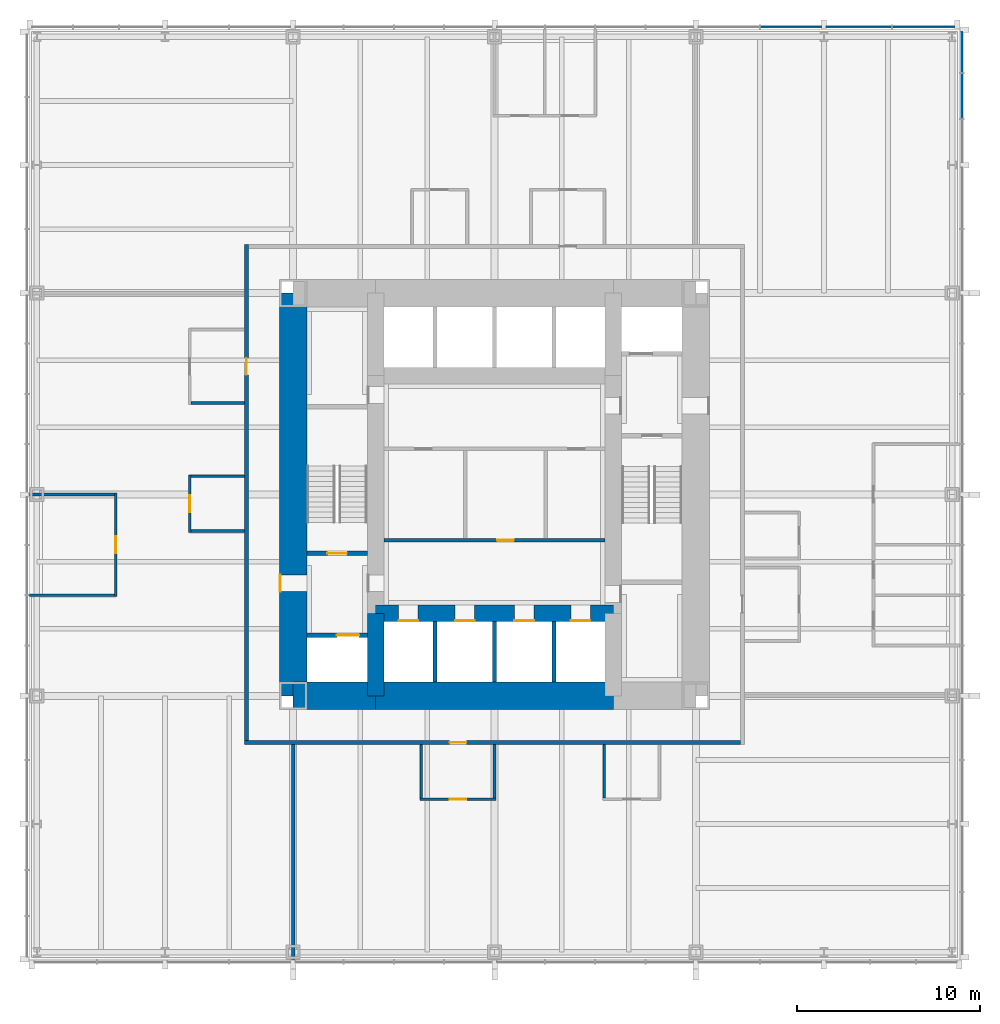
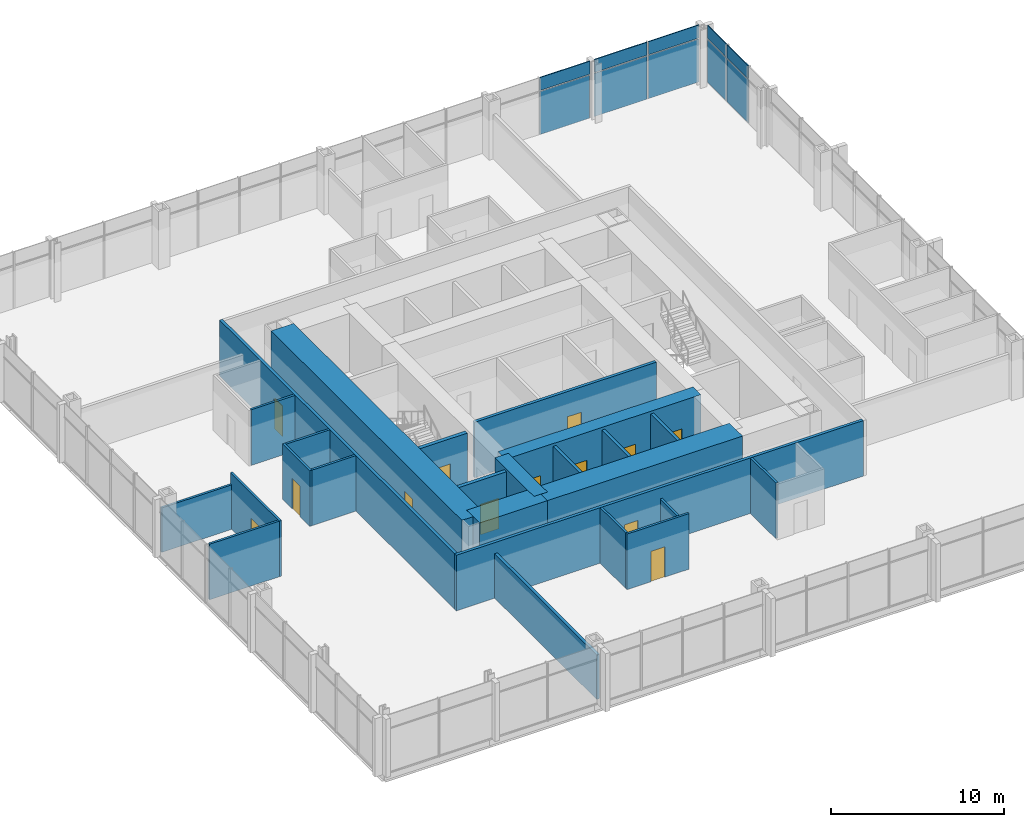
# One storey, part 9 of 12: 25 walls, 13 doors, 10 plates, 13 openings, 2 elements without a shape of their own.
"""IFC4 building model written with IfcOpenShell, lengths in metres."""

from ifc_helpers import new_model, si_unit, direction, frame, frame_2d, origin, origin_2d, place, context, subcontext, project, spatial, rectangle, extrude, material, layer, layer_set, type_object, element, fill, aggregate, save


model = new_model("IFC4")

# Units and contexts
model_context = context("Model", 3, precision=1e-05, world=origin(), true_north=direction((0.0, 1.0)))
body_context = subcontext(model_context, "Body", "Model", "MODEL_VIEW")
ifc_project = project(units=[si_unit("LENGTHUNIT", "METRE"), si_unit("AREAUNIT", "SQUARE_METRE"), si_unit("VOLUMEUNIT", "CUBIC_METRE"), si_unit("PLANEANGLEUNIT", "RADIAN"), si_unit("MASSUNIT", "GRAM", prefix="KILO")], contexts=[model_context])

# Site, building, storey
site_placement = place(None, origin())
site = spatial("IfcSite", under=ifc_project, at=site_placement, CompositionType="ELEMENT")
building_placement = place(site_placement, origin())
building = spatial("IfcBuilding", under=site, at=building_placement, Name="Trevanion Tower", CompositionType="ELEMENT")
storey_placement = place(building_placement, frame((0.0, 0.0, 24.199951171875)))
storey = spatial("IfcBuildingStorey", under=building, at=storey_placement, Name="L05", CompositionType="ELEMENT", Elevation=24.199951171875)

# Curtain wall, plates
ifc_material_1 = material(Name="Aluminium and glass", Category="aluminium")
curtain_wall_type = type_object("IfcCurtainWallType", Name="CW1 curtain wall", PredefinedType="USERDEFINED", material=ifc_material_1)
curtain_wall_1_placement = place(storey_placement, origin())
curtain_wall_1 = element("IfcCurtainWall", 1, at=curtain_wall_1_placement, inside=storey, type_object=curtain_wall_type, Name="CW1 L05 0", ObjectType="UNITISED CURTAIN WALL", PredefinedType="USERDEFINED")
ifc_material_2 = material(Name="Aluminium spandrel panel", Category="aluminium")
ifc_layer_1 = layer(ifc_material_2, 0.06005859375)
ifc_layer_set_1 = layer_set([ifc_layer_1], Name="CW1 spandrel panel")
plate_type_1 = type_object("IfcPlateType", Name="CW1 spandrel panel", PredefinedType="CURTAIN_PANEL", material=ifc_layer_set_1)
plate_1_placement = place(storey_placement, frame((25.550048828125, 21.77490234375, 2.99755859375), z_axis=(0.0, 0.0, 1.0), x_axis=(0.0, 1.0, 0.0)))
plate_1 = element("IfcPlate", 2, at=plate_1_placement, type_object=plate_type_1, Name="CW1 panel 16.2", PredefinedType="CURTAIN_PANEL", context=body_context, shape_type="SweptSolid", body=[
    extrude(rectangle(XDim=2.441650390625, YDim=0.06005859375, at=origin_2d()), origin(), (0.0, 0.0, 1.0), 0.91259765625),
])
plate_2_placement = place(storey_placement, frame((25.550048828125, 24.160400390625, 2.99755859375), z_axis=(0.0, 0.0, 1.0), x_axis=(0.0, 1.0, 0.0)))
plate_2 = element("IfcPlate", 3, at=plate_2_placement, type_object=plate_type_1, Name="CW1 panel 17.2", PredefinedType="CURTAIN_PANEL", context=body_context, shape_type="SweptSolid", body=[
    extrude(rectangle(XDim=2.17919921875, YDim=0.06005859375, at=origin_2d()), origin(), (0.0, 0.0, 1.0), 0.91259765625),
])

curtain_wall_2_placement = place(storey_placement, origin())
curtain_wall_2 = element("IfcCurtainWall", 4, at=curtain_wall_2_placement, inside=storey, type_object=curtain_wall_type, Name="CW1 L05 1", ObjectType="UNITISED CURTAIN WALL", PredefinedType="USERDEFINED")
plate_3_placement = place(storey_placement, frame((23.433837890625, 25.550048828125, 2.99755859375), z_axis=(0.0, 0.0, 1.0), x_axis=(-1.0, 0.0, 0.0)))
plate_3 = element("IfcPlate", 5, at=plate_3_placement, type_object=plate_type_1, Name="CW1 panel 1.2", PredefinedType="CURTAIN_PANEL", context=body_context, shape_type="SweptSolid", body=[
    extrude(rectangle(XDim=3.37255859375, YDim=0.06005859375, at=origin_2d()), origin(), (0.0, 0.0, 1.0), 0.91259765625),
])
plate_4_placement = place(storey_placement, frame((19.911376953125, 25.550048828125, 2.99755859375), z_axis=(0.0, 0.0, 1.0), x_axis=(-1.0, 0.0, 0.0)))
plate_4 = element("IfcPlate", 6, at=plate_4_placement, type_object=plate_type_1, Name="CW1 panel 2.2", PredefinedType="CURTAIN_PANEL", context=body_context, shape_type="SweptSolid", body=[
    extrude(rectangle(XDim=3.5224609375, YDim=0.06005859375, at=origin_2d()), origin(), (0.0, 0.0, 1.0), 0.91259765625),
])
plate_5_placement = place(storey_placement, frame((16.19384765625, 25.550048828125, 2.99755859375), z_axis=(0.0, 0.0, 1.0), x_axis=(-1.0, 0.0, 0.0)))
plate_5 = element("IfcPlate", 7, at=plate_5_placement, type_object=plate_type_1, Name="CW1 panel 3.2", PredefinedType="CURTAIN_PANEL", context=body_context, shape_type="SweptSolid", body=[
    extrude(rectangle(XDim=3.3125, YDim=0.06005859375, at=origin_2d()), origin(), (0.0, 0.0, 1.0), 0.91259765625),
])

# Plate
ifc_material_3 = material(Name="Insulating glass unit", Category="glass")
ifc_layer_2 = layer(ifc_material_3, 0.028076171875)
ifc_layer_set_2 = layer_set([ifc_layer_2], Name="CW1 vision panel")
plate_type_2 = type_object("IfcPlateType", Name="CW1 vision panel", PredefinedType="CURTAIN_PANEL", material=ifc_layer_set_2)
plate_6_placement = place(storey_placement, frame((25.550048828125, 21.77490234375, -0.114990234375), z_axis=(0.0, 0.0, 1.0), x_axis=(0.0, 1.0, 0.0)))
plate_6 = element("IfcPlate", 8, at=plate_6_placement, type_object=plate_type_2, Name="CW1 panel 16.1", PredefinedType="CURTAIN_PANEL", context=body_context, shape_type="SweptSolid", body=[
    extrude(rectangle(XDim=2.441650390625, YDim=0.028076171875, at=origin_2d()), origin(), (0.0, 0.0, 1.0), 3.03759765625),
])

plate_7_placement = place(storey_placement, frame((25.550048828125, 24.160400390625, -0.114990234375), z_axis=(0.0, 0.0, 1.0), x_axis=(0.0, 1.0, 0.0)))
plate_7 = element("IfcPlate", 9, at=plate_7_placement, type_object=plate_type_2, Name="CW1 panel 17.1", PredefinedType="CURTAIN_PANEL", context=body_context, shape_type="SweptSolid", body=[
    extrude(rectangle(XDim=2.17919921875, YDim=0.028076171875, at=origin_2d()), origin(), (0.0, 0.0, 1.0), 3.03759765625),
])

aggregate(curtain_wall_1, [plate_6, plate_1, plate_7, plate_2])

plate_8_placement = place(storey_placement, frame((23.433837890625, 25.550048828125, -0.114990234375), z_axis=(0.0, 0.0, 1.0), x_axis=(-1.0, 0.0, 0.0)))
plate_8 = element("IfcPlate", 10, at=plate_8_placement, type_object=plate_type_2, Name="CW1 panel 1.1", PredefinedType="CURTAIN_PANEL", context=body_context, shape_type="SweptSolid", body=[
    extrude(rectangle(XDim=3.37255859375, YDim=0.028076171875, at=origin_2d()), origin(), (0.0, 0.0, 1.0), 3.03759765625),
])

plate_9_placement = place(storey_placement, frame((19.911376953125, 25.550048828125, -0.114990234375), z_axis=(0.0, 0.0, 1.0), x_axis=(-1.0, 0.0, 0.0)))
plate_9 = element("IfcPlate", 11, at=plate_9_placement, type_object=plate_type_2, Name="CW1 panel 2.1", PredefinedType="CURTAIN_PANEL", context=body_context, shape_type="SweptSolid", body=[
    extrude(rectangle(XDim=3.5224609375, YDim=0.028076171875, at=origin_2d()), origin(), (0.0, 0.0, 1.0), 3.03759765625),
])

plate_10_placement = place(storey_placement, frame((16.19384765625, 25.550048828125, -0.114990234375), z_axis=(0.0, 0.0, 1.0), x_axis=(-1.0, 0.0, 0.0)))
plate_10 = element("IfcPlate", 12, at=plate_10_placement, type_object=plate_type_2, Name="CW1 panel 3.1", PredefinedType="CURTAIN_PANEL", context=body_context, shape_type="SweptSolid", body=[
    extrude(rectangle(XDim=3.3125, YDim=0.028076171875, at=origin_2d()), origin(), (0.0, 0.0, 1.0), 3.03759765625),
])

aggregate(curtain_wall_2, [plate_8, plate_3, plate_9, plate_4, plate_10, plate_5])

# Wall, opening, door
ifc_material_4 = material(Name="Concrete 10,000 psi", Category="concrete")
ifc_layer_3 = layer(ifc_material_4, 1.5)
ifc_layer_set_3 = layer_set([ifc_layer_3], Name="CW1 core wall 1500")
wall_type_1 = type_object("IfcWallType", Name="CW1 core wall 1500", PredefinedType="SHEAR", material=ifc_layer_set_3)
wall_1_placement = place(storey_placement, frame((-11.0, 11.0, 0.0), z_axis=(0.0, 0.0, 1.0), x_axis=(0.0, -1.0, 0.0)))
wall_1 = element("IfcWall", 13, at=wall_1_placement, inside=storey, type_object=wall_type_1, Name="CW1 CW L05", PredefinedType="SHEAR", context=body_context, shape_type="SweptSolid", body=[
    extrude(rectangle(XDim=22.0, YDim=1.5, at=frame_2d((11.0, 0.0))), origin(), (0.0, 0.0, 1.0), 4.10009765625),
])
opening_1_placement = place(wall_1_placement, frame((15.392578125, 0.0, 0.0)))
opening_1 = element("IfcOpeningElement", 14, at=opening_1_placement, cuts=wall_1, Name="Opening 05-002", PredefinedType="OPENING", context=body_context, shape_type="SweptSolid", body=[
    extrude(rectangle(XDim=0.9150390625, YDim=2.134033203125, at=frame_2d((0.45751953125, 1.06689453125))), frame((0.0, 0.760009765625, 0.0), z_axis=(0.0, -1.0, 0.0), x_axis=(1.0, 0.0, 0.0)), (0.0, 0.0, 1.0), 1.52001953125),
])
ifc_material_5 = material(Name="Hollow metal, fire rated", Category="steel")
door_type_1 = type_object("IfcDoorType", Name="D3 fire lift lobby door", OperationType="SINGLE_SWING_RIGHT", PredefinedType="DOOR", material=ifc_material_5)
door_1_placement = place(opening_1_placement, origin())
door_1 = element("IfcDoor", 15, at=door_1_placement, inside=storey, type_object=door_type_1, Name="Door 05-002", OperationType="SINGLE_SWING_RIGHT", OverallHeight=2.134033203125, OverallWidth=0.9150390625, PredefinedType="DOOR", context=body_context, shape_type="SweptSolid", body=[
    extrude(rectangle(XDim=0.9150390625, YDim=2.134033203125, at=frame_2d((0.45751953125, 1.06689453125))), frame((0.0, -0.6748046875, 0.0), z_axis=(0.0, -1.0, 0.0), x_axis=(1.0, 0.0, 0.0)), (0.0, 0.0, 1.0), 0.050048828125),
])
fill(opening_1, door_1)

# Walls
wall_2_placement = place(storey_placement, frame((-11.0, -11.0, 0.0), z_axis=(0.0, 0.0, 1.0), x_axis=(1.0, 0.0, 0.0)))
element("IfcWall", 16, at=wall_2_placement, inside=storey, type_object=wall_type_1, Name="CW1 CS1 L05", PredefinedType="SHEAR", context=body_context, shape_type="SweptSolid", body=[
    extrude(rectangle(XDim=4.5, YDim=1.5, at=frame_2d((2.25, 0.0))), origin(), (0.0, 0.0, 1.0), 4.10009765625),
])
wall_3_placement = place(storey_placement, frame((-6.5, -11.0, 0.0), z_axis=(0.0, 0.0, 1.0), x_axis=(1.0, 0.0, 0.0)))
element("IfcWall", 17, at=wall_3_placement, inside=storey, type_object=wall_type_1, Name="CW1 CS2 L05", PredefinedType="SHEAR", context=body_context, shape_type="SweptSolid", body=[
    extrude(rectangle(XDim=13.0, YDim=1.5, at=frame_2d((6.5, 0.0))), origin(), (0.0, 0.0, 1.0), 4.10009765625),
])
ifc_material_6 = material(Name="Concrete 10,000 psi", Category="concrete")
ifc_layer_4 = layer(ifc_material_6, 0.89990234375)
ifc_layer_set_4 = layer_set([ifc_layer_4], Name="CW2 core wall 900")
wall_type_2 = type_object("IfcWallType", Name="CW2 core wall 900", PredefinedType="SHEAR", material=ifc_layer_set_4)
wall_4_placement = place(storey_placement, frame((-6.5, -6.5, 0.0), z_axis=(0.0, 0.0, 1.0), x_axis=(0.0, -1.0, 0.0)))
element("IfcWall", 18, at=wall_4_placement, inside=storey, type_object=wall_type_2, Name="CW2 RW3 L05", PredefinedType="SHEAR", context=body_context, shape_type="SweptSolid", body=[
    extrude(rectangle(XDim=4.5, YDim=0.89990234375, at=frame_2d((2.25, 0.0))), origin(), (0.0, 0.0, 1.0), 4.10009765625),
])

# Wall, openings, doors
wall_5_placement = place(storey_placement, frame((-6.5, -6.5, 0.0), z_axis=(0.0, 0.0, 1.0), x_axis=(1.0, 0.0, 0.0)))
wall_5 = element("IfcWall", 19, at=wall_5_placement, inside=storey, type_object=wall_type_2, Name="CW2 RS L05", PredefinedType="SHEAR", context=body_context, shape_type="SweptSolid", body=[
    extrude(rectangle(XDim=13.0, YDim=0.89990234375, at=frame_2d((6.5, 0.0))), origin(), (0.0, 0.0, 1.0), 4.10009765625),
])
opening_2_placement = place(wall_5_placement, frame((1.2666015625, 0.0, 0.0)))
opening_2 = element("IfcOpeningElement", 20, at=opening_2_placement, cuts=wall_5, Name="Opening 05-011", PredefinedType="OPENING", context=body_context, shape_type="SweptSolid", body=[
    extrude(rectangle(XDim=1.06689453125, YDim=2.134033203125, at=frame_2d((0.533447265625, 1.06689453125))), frame((0.0, 0.4599609375, 0.0), z_axis=(0.0, -1.0, 0.0), x_axis=(1.0, 0.0, 0.0)), (0.0, 0.0, 1.0), 0.919921875),
])
opening_3_placement = place(wall_5_placement, frame((4.341552734375, 0.0, 0.0)))
opening_3 = element("IfcOpeningElement", 21, at=opening_3_placement, cuts=wall_5, Name="Opening 05-012", PredefinedType="OPENING", context=body_context, shape_type="SweptSolid", body=[
    extrude(rectangle(XDim=1.06689453125, YDim=2.134033203125, at=frame_2d((0.533447265625, 1.06689453125))), frame((0.0, 0.4599609375, 0.0), z_axis=(0.0, -1.0, 0.0), x_axis=(1.0, 0.0, 0.0)), (0.0, 0.0, 1.0), 0.919921875),
])
opening_4_placement = place(wall_5_placement, frame((7.591552734375, 0.0, 0.0)))
opening_4 = element("IfcOpeningElement", 22, at=opening_4_placement, cuts=wall_5, Name="Opening 05-013", PredefinedType="OPENING", context=body_context, shape_type="SweptSolid", body=[
    extrude(rectangle(XDim=1.06689453125, YDim=2.134033203125, at=frame_2d((0.533447265625, 1.06689453125))), frame((0.0, 0.4599609375, 0.0), z_axis=(0.0, -1.0, 0.0), x_axis=(1.0, 0.0, 0.0)), (0.0, 0.0, 1.0), 0.919921875),
])
opening_5_placement = place(wall_5_placement, frame((10.66650390625, 0.0, 0.0)))
opening_5 = element("IfcOpeningElement", 23, at=opening_5_placement, cuts=wall_5, Name="Opening 05-014", PredefinedType="OPENING", context=body_context, shape_type="SweptSolid", body=[
    extrude(rectangle(XDim=1.06689453125, YDim=2.134033203125, at=frame_2d((0.533447265625, 1.06689453125))), frame((0.0, 0.4599609375, 0.0), z_axis=(0.0, -1.0, 0.0), x_axis=(1.0, 0.0, 0.0)), (0.0, 0.0, 1.0), 0.919921875),
])
ifc_material_7 = material(Name="Stainless steel, fire rated", Category="steel")
door_type_2 = type_object("IfcDoorType", Name="LD1 lift landing door", OperationType="SLIDING_TO_LEFT", PredefinedType="DOOR", material=ifc_material_7)
door_2_placement = place(opening_2_placement, origin())
door_2 = element("IfcDoor", 24, at=door_2_placement, inside=storey, type_object=door_type_2, Name="Door 05-011", OperationType="SLIDING_TO_LEFT", OverallHeight=2.134033203125, OverallWidth=1.06689453125, PredefinedType="DOOR", context=body_context, shape_type="SweptSolid", body=[
    extrude(rectangle(XDim=1.06689453125, YDim=2.134033203125, at=frame_2d((0.533447265625, 1.06689453125))), frame((0.0, -0.375, 0.0), z_axis=(0.0, -1.0, 0.0), x_axis=(1.0, 0.0, 0.0)), (0.0, 0.0, 1.0), 0.050048828125),
])
fill(opening_2, door_2)
door_3_placement = place(opening_3_placement, origin())
door_3 = element("IfcDoor", 25, at=door_3_placement, inside=storey, type_object=door_type_2, Name="Door 05-012", OperationType="SLIDING_TO_LEFT", OverallHeight=2.134033203125, OverallWidth=1.06689453125, PredefinedType="DOOR", context=body_context, shape_type="SweptSolid", body=[
    extrude(rectangle(XDim=1.06689453125, YDim=2.134033203125, at=frame_2d((0.533447265625, 1.06689453125))), frame((0.0, -0.375, 0.0), z_axis=(0.0, -1.0, 0.0), x_axis=(1.0, 0.0, 0.0)), (0.0, 0.0, 1.0), 0.050048828125),
])
fill(opening_3, door_3)
door_4_placement = place(opening_4_placement, origin())
door_4 = element("IfcDoor", 26, at=door_4_placement, inside=storey, type_object=door_type_2, Name="Door 05-013", OperationType="SLIDING_TO_LEFT", OverallHeight=2.134033203125, OverallWidth=1.06689453125, PredefinedType="DOOR", context=body_context, shape_type="SweptSolid", body=[
    extrude(rectangle(XDim=1.06689453125, YDim=2.134033203125, at=frame_2d((0.533447265625, 1.06689453125))), frame((0.0, -0.375, 0.0), z_axis=(0.0, -1.0, 0.0), x_axis=(1.0, 0.0, 0.0)), (0.0, 0.0, 1.0), 0.050048828125),
])
fill(opening_4, door_4)
door_5_placement = place(opening_5_placement, origin())
door_5 = element("IfcDoor", 27, at=door_5_placement, inside=storey, type_object=door_type_2, Name="Door 05-014", OperationType="SLIDING_TO_LEFT", OverallHeight=2.134033203125, OverallWidth=1.06689453125, PredefinedType="DOOR", context=body_context, shape_type="SweptSolid", body=[
    extrude(rectangle(XDim=1.06689453125, YDim=2.134033203125, at=frame_2d((0.533447265625, 1.06689453125))), frame((0.0, -0.375, 0.0), z_axis=(0.0, -1.0, 0.0), x_axis=(1.0, 0.0, 0.0)), (0.0, 0.0, 1.0), 0.050048828125),
])
fill(opening_5, door_5)

# Wall, opening, door
ifc_material_8 = material(Name="Gypsum board on steel studs", Category="steel")
ifc_layer_5 = layer(ifc_material_8, 0.14990234375)
ifc_layer_set_5 = layer_set([ifc_layer_5], Name="PT1 partition 150")
wall_type_3 = type_object("IfcWallType", Name="PT1 partition 150", PredefinedType="PARTITIONING", material=ifc_layer_set_5)
wall_6_placement = place(storey_placement, frame((-20.699951171875, 0.074951171875, 0.0), z_axis=(0.0, 0.0, 1.0), x_axis=(0.0, -1.0, 0.0)))
wall_6 = element("IfcWall", 28, at=wall_6_placement, inside=storey, type_object=wall_type_3, Name="PT1 L05 FC2F", PredefinedType="PARTITIONING", context=body_context, shape_type="SweptSolid", body=[
    extrude(rectangle(XDim=5.64990234375, YDim=0.14990234375, at=frame_2d((2.824951171875, 0.0))), origin(), (0.0, 0.0, 1.0), 3.91015625),
])
opening_6_placement = place(wall_6_placement, frame((2.367431640625, 0.0, 0.0)))
opening_6 = element("IfcOpeningElement", 29, at=opening_6_placement, cuts=wall_6, Name="Opening 05-023", PredefinedType="OPENING", context=body_context, shape_type="SweptSolid", body=[
    extrude(rectangle(XDim=0.9150390625, YDim=2.134033203125, at=frame_2d((0.45751953125, 1.06689453125))), frame((0.0, 0.0849609375, 0.0), z_axis=(0.0, -1.0, 0.0), x_axis=(1.0, 0.0, 0.0)), (0.0, 0.0, 1.0), 0.169921875),
])
ifc_material_9 = material(Name="Timber veneer, solid core", Category="wood")
door_type_3 = type_object("IfcDoorType", Name="D1 office and meeting room door", OperationType="SINGLE_SWING_LEFT", PredefinedType="DOOR", material=ifc_material_9)
door_6_placement = place(opening_6_placement, origin())
door_6 = element("IfcDoor", 30, at=door_6_placement, inside=storey, type_object=door_type_3, Name="Door 05-023", OperationType="SINGLE_SWING_LEFT", OverallHeight=2.134033203125, OverallWidth=0.9150390625, PredefinedType="DOOR", context=body_context, shape_type="SweptSolid", body=[
    extrude(rectangle(XDim=0.9150390625, YDim=2.134033203125, at=frame_2d((0.45751953125, 1.06689453125))), frame((0.0, 0.02490234375, 0.0), z_axis=(0.0, -1.0, 0.0), x_axis=(1.0, 0.0, 0.0)), (0.0, 0.0, 1.0), 0.050048828125),
])
fill(opening_6, door_6)

# Walls
wall_7_placement = place(storey_placement, frame((-20.77490234375, 0.0, 0.0), z_axis=(0.0, 0.0, 1.0), x_axis=(-1.0, 0.0, 0.0)))
element("IfcWall", 31, at=wall_7_placement, inside=storey, type_object=wall_type_3, Name="PT1 L05 FC2S0", PredefinedType="PARTITIONING", context=body_context, shape_type="SweptSolid", body=[
    extrude(rectangle(XDim=4.64013671875, YDim=0.14990234375, at=frame_2d((2.320068359375, 0.0))), origin(), (0.0, 0.0, 1.0), 3.130126953125),
])
wall_8_placement = place(storey_placement, frame((-20.77490234375, -5.5, 0.0), z_axis=(0.0, 0.0, 1.0), x_axis=(-1.0, 0.0, 0.0)))
element("IfcWall", 32, at=wall_8_placement, inside=storey, type_object=wall_type_3, Name="PT1 L05 FC2S2", PredefinedType="PARTITIONING", context=body_context, shape_type="SweptSolid", body=[
    extrude(rectangle(XDim=4.64013671875, YDim=0.14990234375, at=frame_2d((2.320068359375, 0.0))), origin(), (0.0, 0.0, 1.0), 3.91015625),
])
wall_9_placement = place(storey_placement, frame((-16.574951171875, 5.0, 0.0), z_axis=(0.0, 0.0, 1.0), x_axis=(1.0, 0.0, 0.0)))
element("IfcWall", 33, at=wall_9_placement, inside=storey, type_object=wall_type_3, Name="PT1 L05 IN20S1", PredefinedType="PARTITIONING", context=body_context, shape_type="SweptSolid", body=[
    extrude(rectangle(XDim=2.925048828125, YDim=0.14990234375, at=frame_2d((1.46240234375, 0.0))), origin(), (0.0, 0.0, 1.0), 3.91015625),
])

# Wall, opening, door
wall_10_placement = place(storey_placement, frame((-16.64990234375, 1.074951171875, 0.0), z_axis=(0.0, 0.0, 1.0), x_axis=(0.0, -1.0, 0.0)))
wall_10 = element("IfcWall", 34, at=wall_10_placement, inside=storey, type_object=wall_type_3, Name="PT1 L05 IN21F", PredefinedType="PARTITIONING", context=body_context, shape_type="SweptSolid", body=[
    extrude(rectangle(XDim=3.14990234375, YDim=0.14990234375, at=frame_2d((1.574951171875, 0.0))), origin(), (0.0, 0.0, 1.0), 3.91015625),
])
opening_7_placement = place(wall_10_placement, frame((1.117431640625, 0.0, 0.0)))
opening_7 = element("IfcOpeningElement", 35, at=opening_7_placement, cuts=wall_10, Name="Opening 05-032", PredefinedType="OPENING", context=body_context, shape_type="SweptSolid", body=[
    extrude(rectangle(XDim=0.9150390625, YDim=2.134033203125, at=frame_2d((0.45751953125, 1.06689453125))), frame((0.0, 0.0849609375, 0.0), z_axis=(0.0, -1.0, 0.0), x_axis=(1.0, 0.0, 0.0)), (0.0, 0.0, 1.0), 0.169921875),
])
door_7_placement = place(opening_7_placement, origin())
door_7 = element("IfcDoor", 36, at=door_7_placement, inside=storey, type_object=door_type_3, Name="Door 05-032", OperationType="SINGLE_SWING_LEFT", OverallHeight=2.134033203125, OverallWidth=0.9150390625, PredefinedType="DOOR", context=body_context, shape_type="SweptSolid", body=[
    extrude(rectangle(XDim=0.9150390625, YDim=2.134033203125, at=frame_2d((0.45751953125, 1.06689453125))), frame((0.0, 0.02490234375, 0.0), z_axis=(0.0, -1.0, 0.0), x_axis=(1.0, 0.0, 0.0)), (0.0, 0.0, 1.0), 0.050048828125),
])
fill(opening_7, door_7)

# Walls
for number, where, z_axis, x_axis, name in (
    (37, (-16.574951171875, 1.0, 0.0), (0.0, 0.0, 1.0), (1.0, 0.0, 0.0), "PT1 L05 IN21S0"),
    (38, (-16.574951171875, -2.0, 0.0), (0.0, 0.0, 1.0), (1.0, 0.0, 0.0), "PT1 L05 IN21S1"),
):
    element("IfcWall", number, at=place(storey_placement, frame(where, z_axis=z_axis, x_axis=x_axis)), inside=storey, type_object=wall_type_3, Name=name, PredefinedType="PARTITIONING", context=body_context, shape_type="SweptSolid", body=[
        extrude(rectangle(XDim=2.925048828125, YDim=0.14990234375, at=frame_2d((1.46240234375, 0.0))), origin(), (0.0, 0.0, 1.0), 3.91015625),
    ])

# Wall, opening, door
wall_11_placement = place(storey_placement, frame((-4.074951171875, -16.64990234375, 0.0), z_axis=(0.0, 0.0, 1.0), x_axis=(1.0, 0.0, 0.0)))
wall_11 = element("IfcWall", 39, at=wall_11_placement, inside=storey, type_object=wall_type_3, Name="PT1 L05 IN30F", PredefinedType="PARTITIONING", context=body_context, shape_type="SweptSolid", body=[
    extrude(rectangle(XDim=4.14990234375, YDim=0.14990234375, at=frame_2d((2.074951171875, 0.0))), origin(), (0.0, 0.0, 1.0), 3.91015625),
])
opening_8_placement = place(wall_11_placement, frame((1.617431640625, 0.0, 0.0)))
opening_8 = element("IfcOpeningElement", 40, at=opening_8_placement, cuts=wall_11, Name="Opening 05-033", PredefinedType="OPENING", context=body_context, shape_type="SweptSolid", body=[
    extrude(rectangle(XDim=0.9150390625, YDim=2.134033203125, at=frame_2d((0.45751953125, 1.06689453125))), frame((0.0, 0.0849609375, 0.0), z_axis=(0.0, -1.0, 0.0), x_axis=(1.0, 0.0, 0.0)), (0.0, 0.0, 1.0), 0.169921875),
])
door_8_placement = place(opening_8_placement, origin())
door_8 = element("IfcDoor", 41, at=door_8_placement, inside=storey, type_object=door_type_3, Name="Door 05-033", OperationType="SINGLE_SWING_LEFT", OverallHeight=2.134033203125, OverallWidth=0.9150390625, PredefinedType="DOOR", context=body_context, shape_type="SweptSolid", body=[
    extrude(rectangle(XDim=0.9150390625, YDim=2.134033203125, at=frame_2d((0.45751953125, 1.06689453125))), frame((0.0, 0.02490234375, 0.0), z_axis=(0.0, -1.0, 0.0), x_axis=(1.0, 0.0, 0.0)), (0.0, 0.0, 1.0), 0.050048828125),
])
fill(opening_8, door_8)

# Walls
wall_12_placement = place(storey_placement, frame((-4.0, -16.574951171875, 0.0), z_axis=(0.0, 0.0, 1.0), x_axis=(0.0, 1.0, 0.0)))
element("IfcWall", 42, at=wall_12_placement, inside=storey, type_object=wall_type_3, Name="PT1 L05 IN30S0", PredefinedType="PARTITIONING", context=body_context, shape_type="SweptSolid", body=[
    extrude(rectangle(XDim=2.925048828125, YDim=0.14990234375, at=frame_2d((1.46240234375, 0.0))), origin(), (0.0, 0.0, 1.0), 3.91015625),
])
wall_13_placement = place(storey_placement, frame((0.0, -16.574951171875, 0.0), z_axis=(0.0, 0.0, 1.0), x_axis=(0.0, 1.0, 0.0)))
element("IfcWall", 43, at=wall_13_placement, inside=storey, type_object=wall_type_3, Name="PT1 L05 IN30S1", PredefinedType="PARTITIONING", context=body_context, shape_type="SweptSolid", body=[
    extrude(rectangle(XDim=2.925048828125, YDim=0.14990234375, at=frame_2d((1.46240234375, 0.0))), origin(), (0.0, 0.0, 1.0), 3.130126953125),
])
wall_14_placement = place(storey_placement, frame((6.0, -16.574951171875, 0.0), z_axis=(0.0, 0.0, 1.0), x_axis=(0.0, 1.0, 0.0)))
element("IfcWall", 44, at=wall_14_placement, inside=storey, type_object=wall_type_3, Name="PT1 L05 IN31S0", PredefinedType="PARTITIONING", context=body_context, shape_type="SweptSolid", body=[
    extrude(rectangle(XDim=2.925048828125, YDim=0.14990234375, at=frame_2d((1.46240234375, 0.0))), origin(), (0.0, 0.0, 1.0), 3.91015625),
])

# Wall, opening, door
ifc_material_10 = material(Name="Concrete masonry, grouted", Category="masonry")
ifc_layer_6 = layer(ifc_material_10, 0.199951171875)
ifc_layer_set_6 = layer_set([ifc_layer_6], Name="PT2 partition 200 1 HR")
wall_type_4 = type_object("IfcWallType", Name="PT2 partition 200 1 HR", PredefinedType="PARTITIONING", material=ifc_layer_set_6)
wall_15_placement = place(storey_placement, frame((6.050048828125, -2.5, 0.0), z_axis=(0.0, 0.0, 1.0), x_axis=(-1.0, 0.0, 0.0)))
wall_15 = element("IfcWall", 45, at=wall_15_placement, inside=storey, type_object=wall_type_4, Name="PT2 L05 CP2", PredefinedType="PARTITIONING", context=body_context, shape_type="SweptSolid", body=[
    extrude(rectangle(XDim=12.10009765625, YDim=0.199951171875, at=frame_2d((6.050048828125, 0.0))), origin(), (0.0, 0.0, 1.0), 3.91015625),
])
opening_9_placement = place(wall_15_placement, frame((4.992431640625, 0.0, 0.0)))
opening_9 = element("IfcOpeningElement", 46, at=opening_9_placement, cuts=wall_15, Name="Opening 05-016", PredefinedType="OPENING", context=body_context, shape_type="SweptSolid", body=[
    extrude(rectangle(XDim=0.9150390625, YDim=2.134033203125, at=frame_2d((0.45751953125, 1.06689453125))), frame((0.0, 0.10986328125, 0.0), z_axis=(0.0, -1.0, 0.0), x_axis=(1.0, 0.0, 0.0)), (0.0, 0.0, 1.0), 0.219970703125),
])
ifc_material_11 = material(Name="Plastic laminate on fire-rated core", Category="wood")
door_type_4 = type_object("IfcDoorType", Name="D12 toilet door in a one hour wall", OperationType="SINGLE_SWING_LEFT", PredefinedType="DOOR", material=ifc_material_11)
door_9_placement = place(opening_9_placement, origin())
door_9 = element("IfcDoor", 47, at=door_9_placement, inside=storey, type_object=door_type_4, Name="Door 05-016", OperationType="SINGLE_SWING_LEFT", OverallHeight=2.134033203125, OverallWidth=0.9150390625, PredefinedType="DOOR", context=body_context, shape_type="SweptSolid", body=[
    extrude(rectangle(XDim=0.9150390625, YDim=2.134033203125, at=frame_2d((0.45751953125, 1.06689453125))), frame((0.0, 0.02490234375, 0.0), z_axis=(0.0, -1.0, 0.0), x_axis=(1.0, 0.0, 0.0)), (0.0, 0.0, 1.0), 0.050048828125),
])
fill(opening_9, door_9)

wall_16_placement = place(storey_placement, frame((-13.550048828125, 13.64990234375, 0.0), z_axis=(0.0, 0.0, 1.0), x_axis=(0.0, -1.0, 0.0)))
wall_16 = element("IfcWall", 48, at=wall_16_placement, inside=storey, type_object=wall_type_4, Name="PT2 L05 OC2", PredefinedType="PARTITIONING", context=body_context, shape_type="SweptSolid", body=[
    extrude(rectangle(XDim=27.099853515625, YDim=0.199951171875, at=frame_2d((13.5498046875, 0.0))), origin(), (0.0, 0.0, 1.0), 3.91015625),
])
opening_10_placement = place(wall_16_placement, frame((6.1923828125, 0.0, 0.0)))
opening_10 = element("IfcOpeningElement", 49, at=opening_10_placement, cuts=wall_16, Name="Opening 05-031", PredefinedType="OPENING", context=body_context, shape_type="SweptSolid", body=[
    extrude(rectangle(XDim=0.9150390625, YDim=2.134033203125, at=frame_2d((0.45751953125, 1.06689453125))), frame((0.0, 0.10986328125, 0.0), z_axis=(0.0, -1.0, 0.0), x_axis=(1.0, 0.0, 0.0)), (0.0, 0.0, 1.0), 0.219970703125),
])
ifc_material_12 = material(Name="Timber veneer, fire rated", Category="wood")
door_type_5 = type_object("IfcDoorType", Name="D10 office door in a one hour wall", OperationType="SINGLE_SWING_LEFT", PredefinedType="DOOR", material=ifc_material_12)
door_10_placement = place(opening_10_placement, origin())
door_10 = element("IfcDoor", 50, at=door_10_placement, inside=storey, type_object=door_type_5, Name="Door 05-031", OperationType="SINGLE_SWING_LEFT", OverallHeight=2.134033203125, OverallWidth=0.9150390625, PredefinedType="DOOR", context=body_context, shape_type="SweptSolid", body=[
    extrude(rectangle(XDim=0.9150390625, YDim=2.134033203125, at=frame_2d((0.45751953125, 1.06689453125))), frame((0.0, 0.02490234375, 0.0), z_axis=(0.0, -1.0, 0.0), x_axis=(1.0, 0.0, 0.0)), (0.0, 0.0, 1.0), 0.050048828125),
])
fill(opening_10, door_10)

wall_17_placement = place(storey_placement, frame((-13.64990234375, -13.550048828125, 0.0), z_axis=(0.0, 0.0, 1.0), x_axis=(1.0, 0.0, 0.0)))
wall_17 = element("IfcWall", 51, at=wall_17_placement, inside=storey, type_object=wall_type_4, Name="PT2 L05 OC3", PredefinedType="PARTITIONING", context=body_context, shape_type="SweptSolid", body=[
    extrude(rectangle(XDim=27.099853515625, YDim=0.199951171875, at=frame_2d((13.5498046875, 0.0))), origin(), (0.0, 0.0, 1.0), 3.91015625),
])
opening_11_placement = place(wall_17_placement, frame((11.1923828125, 0.0, 0.0)))
opening_11 = element("IfcOpeningElement", 52, at=opening_11_placement, cuts=wall_17, Name="Opening 05-034", PredefinedType="OPENING", context=body_context, shape_type="SweptSolid", body=[
    extrude(rectangle(XDim=0.9150390625, YDim=2.134033203125, at=frame_2d((0.45751953125, 1.06689453125))), frame((0.0, 0.10986328125, 0.0), z_axis=(0.0, -1.0, 0.0), x_axis=(1.0, 0.0, 0.0)), (0.0, 0.0, 1.0), 0.219970703125),
])
door_11_placement = place(opening_11_placement, origin())
door_11 = element("IfcDoor", 53, at=door_11_placement, inside=storey, type_object=door_type_5, Name="Door 05-034", OperationType="SINGLE_SWING_LEFT", OverallHeight=2.134033203125, OverallWidth=0.9150390625, PredefinedType="DOOR", context=body_context, shape_type="SweptSolid", body=[
    extrude(rectangle(XDim=0.9150390625, YDim=2.134033203125, at=frame_2d((0.45751953125, 1.06689453125))), frame((0.0, 0.02490234375, 0.0), z_axis=(0.0, -1.0, 0.0), x_axis=(1.0, 0.0, 0.0)), (0.0, 0.0, 1.0), 0.050048828125),
])
fill(opening_11, door_11)

# Walls
wall_18_placement = place(storey_placement, frame((-11.0, -13.64990234375, 0.0), z_axis=(0.0, 0.0, 1.0), x_axis=(0.0, -1.0, 0.0)))
element("IfcWall", 54, at=wall_18_placement, inside=storey, type_object=wall_type_4, Name="PT2 L05 DM2", PredefinedType="PARTITIONING", context=body_context, shape_type="SweptSolid", body=[
    extrude(rectangle(XDim=11.76513671875, YDim=0.199951171875, at=frame_2d((5.882568359375, 0.0))), origin(), (0.0, 0.0, 1.0), 3.130126953125),
])
ifc_material_13 = material(Name="Concrete masonry, grouted", Category="masonry")
ifc_layer_7 = layer(ifc_material_13, 0.199951171875)
ifc_layer_set_7 = layer_set([ifc_layer_7], Name="PT2 partition 200 2 HR")
wall_type_5 = type_object("IfcWallType", Name="PT2 partition 200 2 HR", PredefinedType="PARTITIONING", material=ifc_layer_set_7)
for number, where, z_axis, x_axis, name in (
    (55, (-3.25, -10.25, 0.0), (0.0, 0.0, 1.0), (0.0, 1.0, 0.0), "PT2 L05 SS0"),
    (56, (0.0, -10.25, 0.0), (0.0, 0.0, 1.0), (0.0, 1.0, 0.0), "PT2 L05 SS1"),
    (57, (3.25, -10.25, 0.0), (0.0, 0.0, 1.0), (0.0, 1.0, 0.0), "PT2 L05 SS2"),
):
    element("IfcWall", number, at=place(storey_placement, frame(where, z_axis=z_axis, x_axis=x_axis)), inside=storey, type_object=wall_type_5, Name=name, PredefinedType="PARTITIONING", context=body_context, shape_type="SweptSolid", body=[
        extrude(rectangle(XDim=3.300048828125, YDim=0.199951171875, at=frame_2d((1.64990234375, 0.0))), origin(), (0.0, 0.0, 1.0), 3.91015625),
    ])

# Wall, opening, door
ifc_material_14 = material(Name="Concrete masonry, grouted, two-hour", Category="masonry")
ifc_layer_8 = layer(ifc_material_14, 0.25)
ifc_layer_set_8 = layer_set([ifc_layer_8], Name="PT3 partition 250 2 HR")
wall_type_6 = type_object("IfcWallType", Name="PT3 partition 250 2 HR", PredefinedType="PARTITIONING", material=ifc_layer_set_8)
wall_19_placement = place(storey_placement, frame((-6.949951171875, -7.699951171875, 0.0), z_axis=(0.0, 0.0, 1.0), x_axis=(-1.0, 0.0, 0.0)))
wall_19 = element("IfcWall", 58, at=wall_19_placement, inside=storey, type_object=wall_type_6, Name="PT3 L05 WP3", PredefinedType="PARTITIONING", context=body_context, shape_type="SweptSolid", body=[
    extrude(rectangle(XDim=3.300048828125, YDim=0.25, at=frame_2d((1.64990234375, 0.0))), origin(), (0.0, 0.0, 1.0), 3.91015625),
])
opening_12_placement = place(wall_19_placement, frame((0.449951171875, 0.0, 0.0)))
opening_12 = element("IfcOpeningElement", 59, at=opening_12_placement, cuts=wall_19, Name="Opening 05-008", PredefinedType="OPENING", context=body_context, shape_type="SweptSolid", body=[
    extrude(rectangle(XDim=1.218994140625, YDim=2.134033203125, at=frame_2d((0.609375, 1.06689453125))), frame((0.0, 0.135009765625, 0.0), z_axis=(0.0, -1.0, 0.0), x_axis=(1.0, 0.0, 0.0)), (0.0, 0.0, 1.0), 0.27001953125),
])
ifc_material_15 = material(Name="Stainless steel, fire rated", Category="steel")
door_type_6 = type_object("IfcDoorType", Name="LD2 fire service lift landing door", OperationType="SLIDING_TO_LEFT", PredefinedType="DOOR", material=ifc_material_15)
door_12_placement = place(opening_12_placement, origin())
door_12 = element("IfcDoor", 60, at=door_12_placement, inside=storey, type_object=door_type_6, Name="Door 05-008", OperationType="SLIDING_TO_LEFT", OverallHeight=2.134033203125, OverallWidth=1.218994140625, PredefinedType="DOOR", context=body_context, shape_type="SweptSolid", body=[
    extrude(rectangle(XDim=1.218994140625, YDim=2.134033203125, at=frame_2d((0.609375, 1.06689453125))), frame((0.0, 0.02490234375, 0.0), z_axis=(0.0, -1.0, 0.0), x_axis=(1.0, 0.0, 0.0)), (0.0, 0.0, 1.0), 0.050048828125),
])
fill(opening_12, door_12)

ifc_material_16 = material(Name="Reinforced masonry, fully grouted", Category="masonry")
ifc_layer_9 = layer(ifc_material_16, 0.25)
ifc_layer_set_9 = layer_set([ifc_layer_9], Name="SW1 stair shaft wall 250")
wall_type_7 = type_object("IfcWallType", Name="SW1 stair shaft wall 250", PredefinedType="SOLIDWALL", material=ifc_layer_set_9)
wall_20_placement = place(storey_placement, frame((-6.949951171875, -3.199951171875, 0.0), z_axis=(0.0, 0.0, 1.0), x_axis=(-1.0, 0.0, 0.0)))
wall_20 = element("IfcWall", 61, at=wall_20_placement, inside=storey, type_object=wall_type_7, Name="SW1 L05 WP2", PredefinedType="SOLIDWALL", context=body_context, shape_type="SweptSolid", body=[
    extrude(rectangle(XDim=3.300048828125, YDim=0.25, at=frame_2d((1.64990234375, 0.0))), origin(), (0.0, 0.0, 1.0), 3.91015625),
])
opening_13_placement = place(wall_20_placement, frame((1.116455078125, 0.0, 0.0)))
opening_13 = element("IfcOpeningElement", 62, at=opening_13_placement, cuts=wall_20, Name="Opening 05-006", PredefinedType="OPENING", context=body_context, shape_type="SweptSolid", body=[
    extrude(rectangle(XDim=1.06689453125, YDim=2.134033203125, at=frame_2d((0.533447265625, 1.06689453125))), frame((0.0, 0.135009765625, 0.0), z_axis=(0.0, -1.0, 0.0), x_axis=(1.0, 0.0, 0.0)), (0.0, 0.0, 1.0), 0.27001953125),
])
ifc_material_17 = material(Name="Hollow metal, fire rated", Category="steel")
door_type_7 = type_object("IfcDoorType", Name="D2 exit stair door", OperationType="SINGLE_SWING_LEFT", PredefinedType="DOOR", material=ifc_material_17)
door_13_placement = place(opening_13_placement, origin())
door_13 = element("IfcDoor", 63, at=door_13_placement, inside=storey, type_object=door_type_7, Name="Door 05-006", OperationType="SINGLE_SWING_LEFT", OverallHeight=2.134033203125, OverallWidth=1.06689453125, PredefinedType="DOOR", context=body_context, shape_type="SweptSolid", body=[
    extrude(rectangle(XDim=1.06689453125, YDim=2.134033203125, at=frame_2d((0.533447265625, 1.06689453125))), frame((0.0, 0.02490234375, 0.0), z_axis=(0.0, -1.0, 0.0), x_axis=(1.0, 0.0, 0.0)), (0.0, 0.0, 1.0), 0.050048828125),
])
fill(opening_13, door_13)

save(model, "model.ifc")
